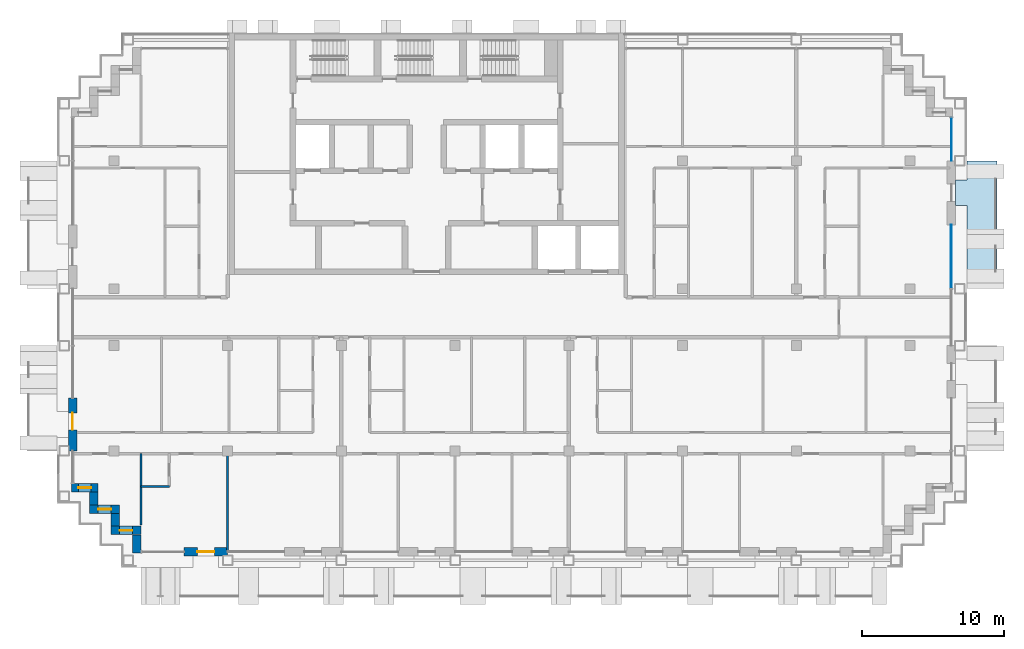
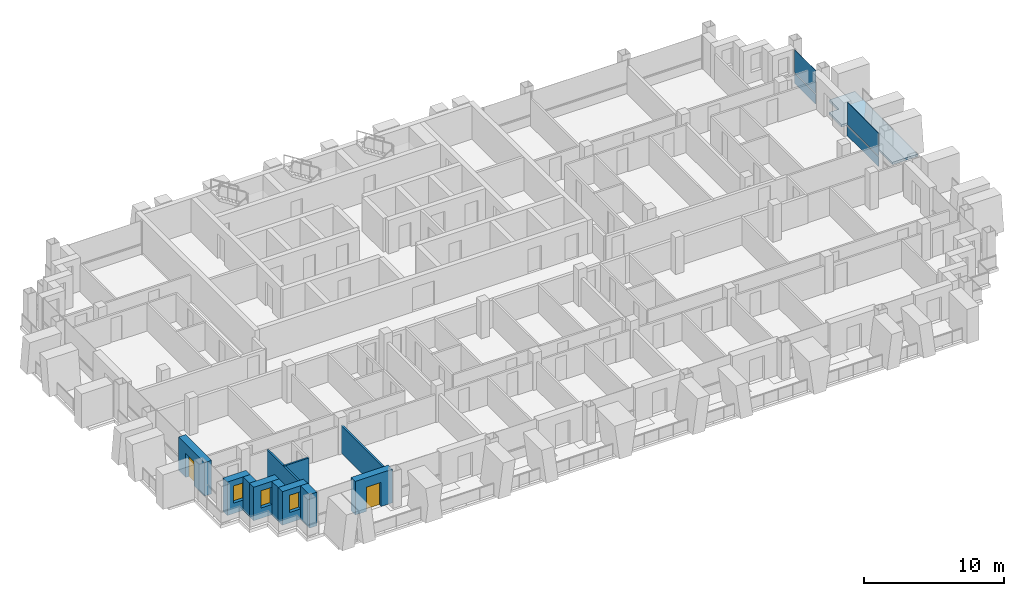
# One storey, part 7 of 16: 11 walls, 4 plates, 3 windows, 2 doors, 1 slab, 5 openings, 2 elements without a shape of their own.
"""IFC4 building model written with IfcOpenShell, lengths in metres."""

from ifc_helpers import new_model, si_unit, direction, frame, frame_2d, origin, origin_2d, place, context, subcontext, project, spatial, polyline, rectangle, outline, extrude, material, layer, layer_set, type_object, element, fill, aggregate, save


model = new_model("IFC4")

# Units and contexts
model_context = context("Model", 3, precision=1e-05, world=origin(), true_north=direction((0.0, 1.0)))
body_context = subcontext(model_context, "Body", "Model", "MODEL_VIEW")
ifc_project = project(units=[si_unit("LENGTHUNIT", "METRE"), si_unit("AREAUNIT", "SQUARE_METRE"), si_unit("VOLUMEUNIT", "CUBIC_METRE"), si_unit("PLANEANGLEUNIT", "RADIAN"), si_unit("MASSUNIT", "GRAM", prefix="KILO")], contexts=[model_context])

# Site, building, storey
site_placement = place(None, origin())
site = spatial("IfcSite", under=ifc_project, at=site_placement, CompositionType="ELEMENT")
building_placement = place(site_placement, origin())
building = spatial("IfcBuilding", under=site, at=building_placement, Name="Vidyagriha Tower", CompositionType="ELEMENT")
storey_placement = place(building_placement, frame((0.0, 0.0, 165.300048828125)))
storey = spatial("IfcBuildingStorey", under=building, at=storey_placement, Name="L42", CompositionType="ELEMENT", Elevation=165.300048828125)

# Curtain wall, plate
ifc_material_1 = material(Name="Aluminium and glass curtain wall", Category="aluminium")
curtain_wall_type = type_object("IfcCurtainWallType", Name="Dwelling skin unitised curtain wall", PredefinedType="USERDEFINED", material=ifc_material_1)
curtain_wall_1_placement = place(storey_placement, origin())
curtain_wall_1 = element("IfcCurtainWall", 1, at=curtain_wall_1_placement, inside=storey, type_object=curtain_wall_type, Name="CW1 dwelling skin", ObjectType="UNITISED", PredefinedType="USERDEFINED")
ifc_material_2 = material(Name="Glass dark ceramic-fritted spandrel", Category="glass")
ifc_layer_1 = layer(ifc_material_2, 0.0400390625)
ifc_layer_set_1 = layer_set([ifc_layer_1], Name="Glass dark ceramic-fritted spandrel")
plate_type_1 = type_object("IfcPlateType", Name="Ceramic-fritted spandrel panel", PredefinedType="CURTAIN_PANEL", material=ifc_layer_set_1)
plate_1_placement = place(storey_placement, frame((36.89990234375, 12.514892578125, 0.0), z_axis=(0.0, 0.0, 1.0), x_axis=(0.0, 1.0, 0.0)))
plate_1 = element("IfcPlate", 2, at=plate_1_placement, type_object=plate_type_1, Name="CW1 panel 1.1", PredefinedType="CURTAIN_PANEL", context=body_context, shape_type="SweptSolid", body=[
    extrude(rectangle(XDim=3.030029296875, YDim=0.0400390625, at=origin_2d()), origin(), (0.0, 0.0, 1.0), 0.85009765625),
])

curtain_wall_2_placement = place(storey_placement, origin())
curtain_wall_2 = element("IfcCurtainWall", 3, at=curtain_wall_2_placement, inside=storey, type_object=curtain_wall_type, Name="CW1 dwelling skin", ObjectType="UNITISED", PredefinedType="USERDEFINED")
ifc_material_3 = material(Name="Glass dark ceramic-fritted", Category="glass")
ifc_layer_2 = layer(ifc_material_3, 0.028076171875)
ifc_layer_set_2 = layer_set([ifc_layer_2], Name="Glass dark ceramic-fritted")
plate_type_2 = type_object("IfcPlateType", Name="Dark ceramic-fritted vision glass panel", PredefinedType="CURTAIN_PANEL", material=ifc_layer_set_2)
plate_2_placement = place(storey_placement, frame((36.89990234375, 4.267578125, 0.9501953125), z_axis=(0.0, 0.0, 1.0), x_axis=(0.0, 1.0, 0.0)))
plate_2 = element("IfcPlate", 4, at=plate_2_placement, type_object=plate_type_2, Name="CW1 panel 2.2", PredefinedType="CURTAIN_PANEL", context=body_context, shape_type="SweptSolid", body=[
    extrude(rectangle(XDim=4.465087890625, YDim=0.028076171875, at=origin_2d()), origin(), (0.0, 0.0, 1.0), 1.969970703125),
])

# Plate
plate_3_placement = place(storey_placement, frame((36.89990234375, 12.514892578125, 0.9501953125), z_axis=(0.0, 0.0, 1.0), x_axis=(0.0, 1.0, 0.0)))
plate_3 = element("IfcPlate", 5, at=plate_3_placement, type_object=plate_type_2, Name="CW1 panel 1.2", PredefinedType="CURTAIN_PANEL", context=body_context, shape_type="SweptSolid", body=[
    extrude(rectangle(XDim=3.030029296875, YDim=0.028076171875, at=origin_2d()), origin(), (0.0, 0.0, 1.0), 1.969970703125),
])

aggregate(curtain_wall_1, [plate_1, plate_3])

ifc_material_4 = material(Name="Aluminium black anodised", Category="aluminium")
ifc_layer_3 = layer(ifc_material_4, 0.06005859375)
ifc_layer_set_3 = layer_set([ifc_layer_3], Name="Aluminium black anodised")
plate_type_3 = type_object("IfcPlateType", Name="Operable black-metal vent panel", PredefinedType="CURTAIN_PANEL", material=ifc_layer_set_3)
plate_4_placement = place(storey_placement, frame((36.89990234375, 4.267578125, 0.0), z_axis=(0.0, 0.0, 1.0), x_axis=(0.0, 1.0, 0.0)))
plate_4 = element("IfcPlate", 6, at=plate_4_placement, type_object=plate_type_3, Name="CW1 panel 2.1", PredefinedType="CURTAIN_PANEL", context=body_context, shape_type="SweptSolid", body=[
    extrude(rectangle(XDim=4.465087890625, YDim=0.06005859375, at=origin_2d()), origin(), (0.0, 0.0, 1.0), 0.85009765625),
])

aggregate(curtain_wall_2, [plate_4, plate_2])

# Slab
ifc_material_5 = material(Name="Precast concrete C40/50", Category="concrete")
ifc_layer_4 = layer(ifc_material_5, 0.199951171875)
ifc_layer_set_4 = layer_set([ifc_layer_4], Name="Precast concrete C40/50")
slab_type = type_object("IfcSlabType", Name="Precast balcony slab 200", PredefinedType="USERDEFINED", material=ifc_layer_set_4)
slab_placement = place(storey_placement, frame((0.0, 0.0, -0.199951171875)))
element("IfcSlab", 7, at=slab_placement, inside=storey, type_object=slab_type, Name="Balcony slab L42 R30.2-2", ObjectType="BALCONY", PredefinedType="USERDEFINED", context=body_context, shape_type="SweptSolid", body=[
    extrude(outline(polyline([(38.0, 7.85009765625), (38.0, 2.0), (40.10009765625, 2.0), (40.10009765625, 11.0), (38.0, 11.0), (38.0, 9.64990234375), (37.199951171875, 9.64990234375), (37.199951171875, 7.85009765625), (38.0, 7.85009765625)])), origin(), (0.0, 0.0, 1.0), 0.199951171875),
])

# Wall, opening, door
ifc_material_6 = material(Name="Precast concrete C40/50 with brick facing", Category="concrete")
ifc_layer_5 = layer(ifc_material_6, 0.60009765625)
ifc_layer_set_5 = layer_set([ifc_layer_5], Name="Precast concrete C40/50 with brick facing")
wall_type_1 = type_object("IfcWallType", Name="Brick-faced precast wall 600", PredefinedType="STANDARD", material=ifc_layer_set_5)
wall_1_placement = place(storey_placement, frame((-24.89990234375, -5.699951171875, 0.0), z_axis=(0.0, 0.0, 1.0), x_axis=(0.0, -1.0, 0.0)))
wall_1 = element("IfcWall", 8, at=wall_1_placement, inside=storey, type_object=wall_type_1, Name="Brick door bay wall L42 R16.6", PredefinedType="STANDARD", context=body_context, shape_type="SweptSolid", body=[
    extrude(rectangle(XDim=3.699951171875, YDim=0.60009765625, at=frame_2d((1.85009765625, 0.0))), origin(), (0.0, 0.0, 1.0), 2.919921875),
])
opening_1_placement = place(wall_1_placement, frame((1.02490234375, 0.0, 0.0)))
opening_1 = element("IfcOpeningElement", 9, at=opening_1_placement, cuts=wall_1, Name="Opening D42-67", PredefinedType="OPENING", context=body_context, shape_type="SweptSolid", body=[
    extrude(rectangle(XDim=1.199951171875, YDim=2.10009765625, at=frame_2d((0.60009765625, 1.050048828125))), frame((0.0, 0.31005859375, 0.0), z_axis=(0.0, -1.0, 0.0), x_axis=(1.0, 0.0, 0.0)), (0.0, 0.0, 1.0), 0.6201171875),
])
ifc_material_7 = material(Name="Aluminium framed glazed sliding door", Category="aluminium")
door_type = type_object("IfcDoorType", Name="Balcony sliding door 1200x2100", OperationType="NOTDEFINED", PredefinedType="DOOR", material=ifc_material_7)
door_1_placement = place(opening_1_placement, origin())
door_1 = element("IfcDoor", 10, at=door_1_placement, inside=storey, type_object=door_type, Name="Door D42-67", OperationType="SLIDING_TO_LEFT", OverallHeight=2.10009765625, OverallWidth=1.199951171875, PredefinedType="DOOR", context=body_context, shape_type="SweptSolid", body=[
    extrude(rectangle(XDim=1.199951171875, YDim=2.10009765625, at=frame_2d((0.60009765625, 1.050048828125))), frame((0.0, 0.02490234375, 0.0), z_axis=(0.0, -1.0, 0.0), x_axis=(1.0, 0.0, 0.0)), (0.0, 0.0, 1.0), 0.050048828125),
])
fill(opening_1, door_1)

# Wall, opening, window
wall_2_placement = place(storey_placement, frame((-24.97998046875, -12.0, 0.0)))
wall_2 = element("IfcWall", 11, at=wall_2_placement, inside=storey, type_object=wall_type_1, Name="Stepped corner wall L42 R17", PredefinedType="STANDARD", context=body_context, shape_type="SweptSolid", body=[
    extrude(rectangle(XDim=1.8798828125, YDim=0.60009765625, at=frame_2d((0.93994140625, 0.0))), origin(), (0.0, 0.0, 1.0), 2.919921875),
])
opening_2_placement = place(wall_2_placement, frame((0.489990234375, 0.0, 0.89990234375)))
opening_2 = element("IfcOpeningElement", 12, at=opening_2_placement, cuts=wall_2, Name="Opening WN1", PredefinedType="OPENING", context=body_context, shape_type="SweptSolid", body=[
    extrude(rectangle(XDim=0.89990234375, YDim=1.5, at=frame_2d((0.449951171875, 0.75))), frame((0.0, 0.31005859375, 0.0), z_axis=(0.0, -1.0, 0.0), x_axis=(1.0, 0.0, 0.0)), (0.0, 0.0, 1.0), 0.6201171875),
])
ifc_material_8 = material(Name="Aluminium and glass window", Category="aluminium")
window_type = type_object("IfcWindowType", Name="Reveal window 900x1500", PartitioningType="NOTDEFINED", PredefinedType="WINDOW", material=ifc_material_8)
window_1_placement = place(opening_2_placement, origin())
window_1 = element("IfcWindow", 13, at=window_1_placement, inside=storey, type_object=window_type, Name="Reveal window L42 R17", OverallHeight=1.5, OverallWidth=0.89990234375, PartitioningType="SINGLE_PANEL", PredefinedType="WINDOW", context=body_context, shape_type="SweptSolid", body=[
    extrude(rectangle(XDim=0.89990234375, YDim=1.5, at=frame_2d((0.449951171875, 0.75))), frame((0.0, 0.030029296875, 0.0), z_axis=(0.0, -1.0, 0.0), x_axis=(1.0, 0.0, 0.0)), (0.0, 0.0, 1.0), 0.06005859375),
])
fill(opening_2, window_1)

# Wall
wall_3_placement = place(storey_placement, frame((-23.39990234375, -12.300048828125, 0.0), z_axis=(0.0, 0.0, 1.0), x_axis=(0.0, -1.0, 0.0)))
element("IfcWall", 14, at=wall_3_placement, inside=storey, type_object=wall_type_1, Name="Stepped corner wall L42 R18", PredefinedType="STANDARD", context=body_context, shape_type="SweptSolid", body=[
    extrude(rectangle(XDim=0.89990234375, YDim=0.60009765625, at=frame_2d((0.449951171875, 0.0))), origin(), (0.0, 0.0, 1.0), 2.919921875),
])

# Wall, opening, window
wall_4_placement = place(storey_placement, frame((-23.699951171875, -13.5, 0.0)))
wall_4 = element("IfcWall", 15, at=wall_4_placement, inside=storey, type_object=wall_type_1, Name="Stepped corner wall L42 R19", PredefinedType="STANDARD", context=body_context, shape_type="SweptSolid", body=[
    extrude(rectangle(XDim=2.099853515625, YDim=0.60009765625, at=frame_2d((1.0498046875, 0.0))), origin(), (0.0, 0.0, 1.0), 2.919921875),
])
opening_3_placement = place(wall_4_placement, frame((0.60009765625, 0.0, 0.89990234375)))
opening_3 = element("IfcOpeningElement", 16, at=opening_3_placement, cuts=wall_4, Name="Opening WN1", PredefinedType="OPENING", context=body_context, shape_type="SweptSolid", body=[
    extrude(rectangle(XDim=0.89990234375, YDim=1.5, at=frame_2d((0.449951171875, 0.75))), frame((0.0, 0.31005859375, 0.0), z_axis=(0.0, -1.0, 0.0), x_axis=(1.0, 0.0, 0.0)), (0.0, 0.0, 1.0), 0.6201171875),
])
window_2_placement = place(opening_3_placement, origin())
window_2 = element("IfcWindow", 17, at=window_2_placement, inside=storey, type_object=window_type, Name="Reveal window L42 R19", OverallHeight=1.5, OverallWidth=0.89990234375, PartitioningType="SINGLE_PANEL", PredefinedType="WINDOW", context=body_context, shape_type="SweptSolid", body=[
    extrude(rectangle(XDim=0.89990234375, YDim=1.5, at=frame_2d((0.449951171875, 0.75))), frame((0.0, 0.030029296875, 0.0), z_axis=(0.0, -1.0, 0.0), x_axis=(1.0, 0.0, 0.0)), (0.0, 0.0, 1.0), 0.06005859375),
])
fill(opening_3, window_2)

# Wall
wall_5_placement = place(storey_placement, frame((-21.89990234375, -13.800048828125, 0.0), z_axis=(0.0, 0.0, 1.0), x_axis=(0.0, -1.0, 0.0)))
element("IfcWall", 18, at=wall_5_placement, inside=storey, type_object=wall_type_1, Name="Stepped corner wall L42 R20", PredefinedType="STANDARD", context=body_context, shape_type="SweptSolid", body=[
    extrude(rectangle(XDim=0.89990234375, YDim=0.60009765625, at=frame_2d((0.449951171875, 0.0))), origin(), (0.0, 0.0, 1.0), 2.919921875),
])

# Wall, opening, window
wall_6_placement = place(storey_placement, frame((-22.199951171875, -15.0, 0.0)))
wall_6 = element("IfcWall", 19, at=wall_6_placement, inside=storey, type_object=wall_type_1, Name="Stepped corner wall L42 R21", PredefinedType="STANDARD", context=body_context, shape_type="SweptSolid", body=[
    extrude(rectangle(XDim=2.099853515625, YDim=0.60009765625, at=frame_2d((1.0498046875, 0.0))), origin(), (0.0, 0.0, 1.0), 2.919921875),
])
opening_4_placement = place(wall_6_placement, frame((0.60009765625, 0.0, 0.89990234375)))
opening_4 = element("IfcOpeningElement", 20, at=opening_4_placement, cuts=wall_6, Name="Opening WN1", PredefinedType="OPENING", context=body_context, shape_type="SweptSolid", body=[
    extrude(rectangle(XDim=0.89990234375, YDim=1.5, at=frame_2d((0.449951171875, 0.75))), frame((0.0, 0.31005859375, 0.0), z_axis=(0.0, -1.0, 0.0), x_axis=(1.0, 0.0, 0.0)), (0.0, 0.0, 1.0), 0.6201171875),
])
window_3_placement = place(opening_4_placement, origin())
window_3 = element("IfcWindow", 21, at=window_3_placement, inside=storey, type_object=window_type, Name="Reveal window L42 R21", OverallHeight=1.5, OverallWidth=0.89990234375, PartitioningType="SINGLE_PANEL", PredefinedType="WINDOW", context=body_context, shape_type="SweptSolid", body=[
    extrude(rectangle(XDim=0.89990234375, YDim=1.5, at=frame_2d((0.449951171875, 0.75))), frame((0.0, 0.030029296875, 0.0), z_axis=(0.0, -1.0, 0.0), x_axis=(1.0, 0.0, 0.0)), (0.0, 0.0, 1.0), 0.06005859375),
])
fill(opening_4, window_3)

# Wall
wall_7_placement = place(storey_placement, frame((-20.39990234375, -15.300048828125, 0.0), z_axis=(0.0, 0.0, 1.0), x_axis=(0.0, -1.0, 0.0)))
element("IfcWall", 22, at=wall_7_placement, inside=storey, type_object=wall_type_1, Name="Stepped corner wall L42 R22", PredefinedType="STANDARD", context=body_context, shape_type="SweptSolid", body=[
    extrude(rectangle(XDim=1.280029296875, YDim=0.60009765625, at=frame_2d((0.64013671875, 0.0))), origin(), (0.0, 0.0, 1.0), 2.919921875),
])

# Wall, opening, door
wall_8_placement = place(storey_placement, frame((-17.050048828125, -16.5, 0.0)))
wall_8 = element("IfcWall", 23, at=wall_8_placement, inside=storey, type_object=wall_type_1, Name="Brick door bay wall L42 R23.2", PredefinedType="STANDARD", context=body_context, shape_type="SweptSolid", body=[
    extrude(rectangle(XDim=3.050048828125, YDim=0.60009765625, at=frame_2d((1.52490234375, 0.0))), origin(), (0.0, 0.0, 1.0), 2.919921875),
])
opening_5_placement = place(wall_8_placement, frame((0.925048828125, 0.0, 0.0)))
opening_5 = element("IfcOpeningElement", 24, at=opening_5_placement, cuts=wall_8, Name="Opening D42-68", PredefinedType="OPENING", context=body_context, shape_type="SweptSolid", body=[
    extrude(rectangle(XDim=1.199951171875, YDim=2.10009765625, at=frame_2d((0.60009765625, 1.050048828125))), frame((0.0, 0.31005859375, 0.0), z_axis=(0.0, -1.0, 0.0), x_axis=(1.0, 0.0, 0.0)), (0.0, 0.0, 1.0), 0.6201171875),
])
door_2_placement = place(opening_5_placement, origin())
door_2 = element("IfcDoor", 25, at=door_2_placement, inside=storey, type_object=door_type, Name="Door D42-68", OperationType="SLIDING_TO_LEFT", OverallHeight=2.10009765625, OverallWidth=1.199951171875, PredefinedType="DOOR", context=body_context, shape_type="SweptSolid", body=[
    extrude(rectangle(XDim=1.199951171875, YDim=2.10009765625, at=frame_2d((0.60009765625, 1.050048828125))), frame((0.0, 0.02490234375, 0.0), z_axis=(0.0, -1.0, 0.0), x_axis=(1.0, 0.0, 0.0)), (0.0, 0.0, 1.0), 0.050048828125),
])
fill(opening_5, door_2)

# Walls
ifc_material_9 = material(Name="Gypsum board partition")
ifc_layer_6 = layer(ifc_material_9, 0.14990234375)
ifc_layer_set_6 = layer_set([ifc_layer_6], Name="Gypsum board partition")
wall_type_2 = type_object("IfcWallType", Name="Gypsum board partition 150", PredefinedType="PARTITIONING", material=ifc_layer_set_6)
wall_9_placement = place(storey_placement, frame((-20.10009765625, -9.60009765625, 0.0), z_axis=(0.0, 0.0, 1.0), x_axis=(0.0, -1.0, 0.0)))
element("IfcWall", 26, at=wall_9_placement, inside=storey, type_object=wall_type_2, Name="Wall all-L42-w016", PredefinedType="PARTITIONING", context=body_context, shape_type="SweptSolid", body=[
    extrude(rectangle(XDim=5.02001953125, YDim=0.14990234375, at=frame_2d((2.510009765625, 0.0))), origin(), (0.0, 0.0, 1.0), 2.39990234375),
])
wall_10_placement = place(storey_placement, frame((-14.0, -9.60009765625, 0.0), z_axis=(0.0, 0.0, 1.0), x_axis=(0.0, -1.0, 0.0)))
element("IfcWall", 27, at=wall_10_placement, inside=storey, type_object=wall_type_2, Name="Wall all-L42-w017", PredefinedType="PARTITIONING", context=body_context, shape_type="SweptSolid", body=[
    extrude(rectangle(XDim=6.809814453125, YDim=0.14990234375, at=frame_2d((3.40478515625, 0.0))), origin(), (0.0, 0.0, 1.0), 2.39990234375),
])
wall_11_placement = place(storey_placement, frame((-18.10009765625, -11.89990234375, 0.0), z_axis=(0.0, 0.0, 1.0), x_axis=(-1.0, 0.0, 0.0)))
element("IfcWall", 28, at=wall_11_placement, inside=storey, type_object=wall_type_2, Name="Wall all-L42-w019", PredefinedType="PARTITIONING", context=body_context, shape_type="SweptSolid", body=[
    extrude(rectangle(XDim=2.0, YDim=0.14990234375, at=frame_2d((1.0, 0.0))), origin(), (0.0, 0.0, 1.0), 2.39990234375),
])

save(model, "model.ifc")
